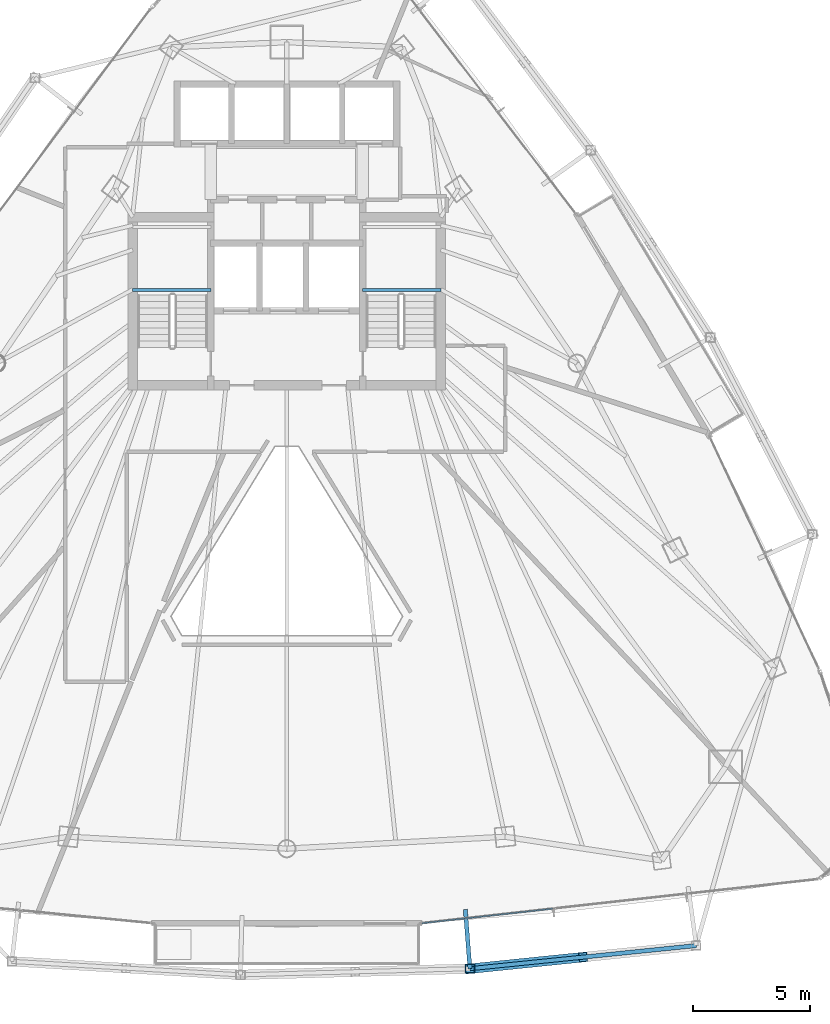
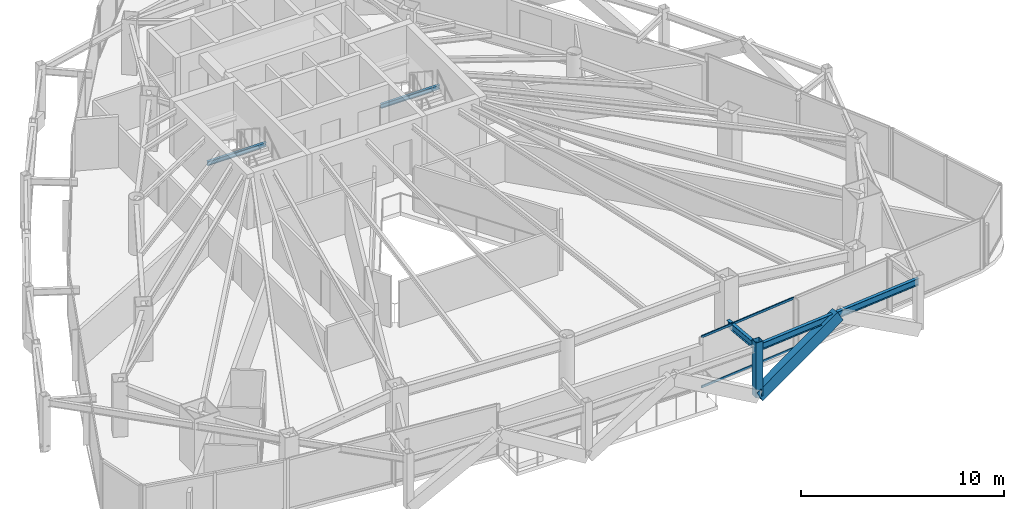
# One storey, part 13 of 31: 4 beams, 4 members, 1 element without a shape of its own.
"""IFC4 building model written with IfcOpenShell, lengths in metres."""

from ifc_helpers import new_model, si_unit, direction, frame, origin, origin_2d, place, context, subcontext, project, spatial, hollow_rectangle, i_section, extrude, material, layer, layer_set, material_profile, profile_set, type_object, element, aggregate, save


model = new_model("IFC4")

# Units and contexts
model_context = context("Model", 3, precision=1e-05, world=origin(), true_north=direction((0.0, 1.0)))
body_context = subcontext(model_context, "Body", "Model", "MODEL_VIEW")
ifc_project = project(units=[si_unit("LENGTHUNIT", "METRE"), si_unit("AREAUNIT", "SQUARE_METRE"), si_unit("VOLUMEUNIT", "CUBIC_METRE"), si_unit("PLANEANGLEUNIT", "RADIAN"), si_unit("MASSUNIT", "GRAM", prefix="KILO")], contexts=[model_context])

# Site, building, storey
site_placement = place(None, origin())
site = spatial("IfcSite", under=ifc_project, at=site_placement, CompositionType="ELEMENT")
building_placement = place(site_placement, origin())
building = spatial("IfcBuilding", under=site, at=building_placement, Name="Orvanel Arch Residences", CompositionType="ELEMENT")
storey_placement = place(building_placement, frame((0.0, 0.0, 150.64990234375)))
storey = spatial("IfcBuildingStorey", under=building, at=storey_placement, Name="L42", CompositionType="ELEMENT", Elevation=150.64990234375)

# Beams
ifc_material_1 = material(Name="Structural steel AS/NZS 3679.1 Grade 300 (300 MPa)", Category="steel")
ifc_material_profile_1 = material_profile(ifc_material_1, i_section(OverallWidth=0.14599609375, OverallDepth=0.251953125, WebThickness=0.006103515625, FlangeThickness=0.008544921875, at=origin_2d()), Name="250UB31.4")
ifc_profile_set_1 = profile_set([ifc_material_profile_1], Name="Structural steel AS/NZS 3679.1 Grade 300 (300 MPa)")
beam_type_1 = type_object("IfcBeamType", Name="BJ-250UB", PredefinedType="JOIST", material=ifc_profile_set_1)
for number, where, z_axis, x_axis, name in (
    (1, (26.39990234375, 30.780029296875, 1.32421875), (1.0, 0.0, 0.0), (0.0, 1.0, 0.0), "L42 ST-1 Half-Landing Support Beam 1.1"),
    (2, (36.25, 30.780029296875, 1.32421875), (1.0, 0.0, 0.0), (0.0, 1.0, 0.0), "L42 ST-2 Half-Landing Support Beam 1.1"),
):
    element("IfcBeam", number, at=place(storey_placement, frame(where, z_axis=z_axis, x_axis=x_axis)), inside=storey, type_object=beam_type_1, Name=name, PredefinedType="JOIST", context=body_context, shape_type="SweptSolid", body=[
        extrude(i_section(OverallWidth=0.14599609375, OverallDepth=0.251953125, WebThickness=0.006103515625, FlangeThickness=0.008544921875, at=origin_2d()), origin(), (0.0, 0.0, 1.0), 3.35009765625),
    ])

# Member
ifc_material_2 = material(Name="Structural steel AS/NZS 3678 Grade 350", Category="steel")
ifc_material_profile_2 = material_profile(ifc_material_2, hollow_rectangle(XDim=0.419921875, YDim=0.719970703125, WallThickness=0.02490234375, at=origin_2d()), Name="RHS720x420x25")
ifc_profile_set_2 = profile_set([ifc_material_profile_2], Name="Structural steel AS/NZS 3678 Grade 350")
member_type_1 = type_object("IfcMemberType", Name="BR-720RHS-EXT", PredefinedType="BRACE", material=ifc_profile_set_2)
member_1_placement = place(storey_placement, frame((40.846923828125, 1.701904296875, 0.0), z_axis=(0.858204893959, 0.087644250425, 0.505769557559), x_axis=(-0.10159665948, 0.994825672559, 0.0)))
element("IfcMember", 3, at=member_1_placement, inside=storey, type_object=member_type_1, Name="L42 Exterior Sky-Garden V-Frame Chevron F2B3.1", PredefinedType="BRACE", context=body_context, shape_type="SweptSolid", body=[
    extrude(hollow_rectangle(XDim=0.419921875, YDim=0.719970703125, WallThickness=0.02490234375, at=origin_2d()), origin(), (0.0, 0.0, 1.0), 5.649169921875),
])

# Beams
ifc_material_profile_3 = material_profile(ifc_material_1, i_section(OverallWidth=0.177978515625, OverallDepth=0.406005859375, WebThickness=0.0078125, FlangeThickness=0.0126953125, at=origin_2d()), Name="410UB59.7")
ifc_profile_set_3 = profile_set([ifc_material_profile_3], Name="Structural steel AS/NZS 3679.1 Grade 300 (300 MPa)")
beam_type_2 = type_object("IfcBeamType", Name="OB-410UB-EXT", PredefinedType="SPANDREL", material=ifc_profile_set_3)
beam_1_placement = place(storey_placement, frame((40.64794921875, 4.243896484375, 2.857177734375), z_axis=(0.078036368424, -0.996950512916, 0.0), x_axis=(0.996950512916, 0.078036368424, 0.0)))
element("IfcBeam", 4, at=beam_1_placement, inside=storey, type_object=beam_type_2, Name="L42 Outer Frame Radial Tie Beam 07", PredefinedType="SPANDREL", context=body_context, shape_type="SweptSolid", body=[
    extrude(i_section(OverallWidth=0.177978515625, OverallDepth=0.406005859375, WebThickness=0.0078125, FlangeThickness=0.0126953125, at=origin_2d()), origin(), (0.0, 0.0, 1.0), 2.5498046875),
])
beam_2_placement = place(storey_placement, frame((40.846923828125, 1.701904296875, 2.857177734375), z_axis=(0.994815281962, 0.101698351876, 0.0), x_axis=(-0.101698351876, 0.994815281962, 0.0)))
element("IfcBeam", 5, at=beam_2_placement, inside=storey, type_object=beam_type_2, Name="L42 Outer Perimeter Floor Ring Beam 07", PredefinedType="SPANDREL", context=body_context, shape_type="SweptSolid", body=[
    extrude(i_section(OverallWidth=0.177978515625, OverallDepth=0.406005859375, WebThickness=0.0078125, FlangeThickness=0.0126953125, at=origin_2d()), origin(), (0.0, 0.0, 1.0), 9.74658203125),
])

# Member
ifc_material_3 = material(Name="Structural steel AS/NZS 1163 C450L0 (Grade 450)", Category="steel")
ifc_material_profile_4 = material_profile(ifc_material_3, hollow_rectangle(XDim=0.39990234375, YDim=0.39990234375, WallThickness=0.01611328125, at=origin_2d()), Name="SHS400x400x16")
ifc_profile_set_4 = profile_set([ifc_material_profile_4], Name="Structural steel AS/NZS 1163 C450L0 (Grade 450)")
member_type_2 = type_object("IfcMemberType", Name="ST-400SHS-EXT", PredefinedType="STRUT", material=ifc_profile_set_4)
member_2_placement = place(storey_placement, frame((40.846923828125, 1.701904296875, 0.0), z_axis=(0.0, 0.0, 1.0), x_axis=(1.0, 0.0, 0.0)))
element("IfcMember", 6, at=member_2_placement, inside=storey, type_object=member_type_2, Name="L42 Outer Perimeter Frame Post 07", PredefinedType="STRUT", context=body_context, shape_type="SweptSolid", body=[
    extrude(hollow_rectangle(XDim=0.39990234375, YDim=0.39990234375, WallThickness=0.01611328125, at=origin_2d()), origin(), (0.0, 0.0, 1.0), 3.300048828125),
])

# Curtain wall, members
ifc_material_4 = material(Name="Bronze-anodised aluminium AA6063-T6", Category="aluminium")
ifc_layer = layer(ifc_material_4, 0.179931640625)
ifc_layer_set = layer_set([ifc_layer], Name="Bronze-anodised aluminium AA6063-T6")
curtain_wall_type = type_object("IfcCurtainWallType", Name="CW3-MID-SYS", PredefinedType="NOTDEFINED", material=ifc_layer_set)
curtain_wall_placement = place(storey_placement, origin())
curtain_wall = element("IfcCurtainWall", 7, at=curtain_wall_placement, inside=storey, type_object=curtain_wall_type, Name="L42 CW3-MID-SYS Unitised Curtain Wall", PredefinedType="NOTDEFINED")
ifc_material_profile_5 = material_profile(ifc_material_4, hollow_rectangle(XDim=0.06005859375, YDim=0.135009765625, WallThickness=0.00390625, at=origin_2d()), Name="ALU135x60x4")
ifc_profile_set_5 = profile_set([ifc_material_profile_5], Name="Bronze-anodised aluminium AA6063-T6")
member_type_3 = type_object("IfcMemberType", Name="TRN-135x60", PredefinedType="USERDEFINED", material=ifc_profile_set_5)
member_3_placement = place(storey_placement, frame((38.79345703125, 3.650634765625, 0.030029296875), z_axis=(0.993886382766, 0.110407690643, 0.0), x_axis=(-0.110407690643, 0.993886382766, 0.0)))
member_3 = element("IfcMember", 8, at=member_3_placement, type_object=member_type_3, Name="CW-S3 transom 1.1", ObjectType="TRANSOM", PredefinedType="USERDEFINED", context=body_context, shape_type="SweptSolid", body=[
    extrude(hollow_rectangle(XDim=0.06005859375, YDim=0.135009765625, WallThickness=0.00390625, at=origin_2d()), origin(), (0.0, 0.0, 1.0), 5.62109375),
])
member_4_placement = place(storey_placement, frame((38.79345703125, 3.650634765625, 3.030029296875), z_axis=(0.993886382766, 0.110407690643, 0.0), x_axis=(-0.110407690643, 0.993886382766, 0.0)))
member_4 = element("IfcMember", 9, at=member_4_placement, type_object=member_type_3, Name="CW-S3 transom 1.2", ObjectType="TRANSOM", PredefinedType="USERDEFINED", context=body_context, shape_type="SweptSolid", body=[
    extrude(hollow_rectangle(XDim=0.06005859375, YDim=0.135009765625, WallThickness=0.00390625, at=origin_2d()), origin(), (0.0, 0.0, 1.0), 5.62109375),
])
aggregate(curtain_wall, [member_3, member_4])

save(model, "model.ifc")
